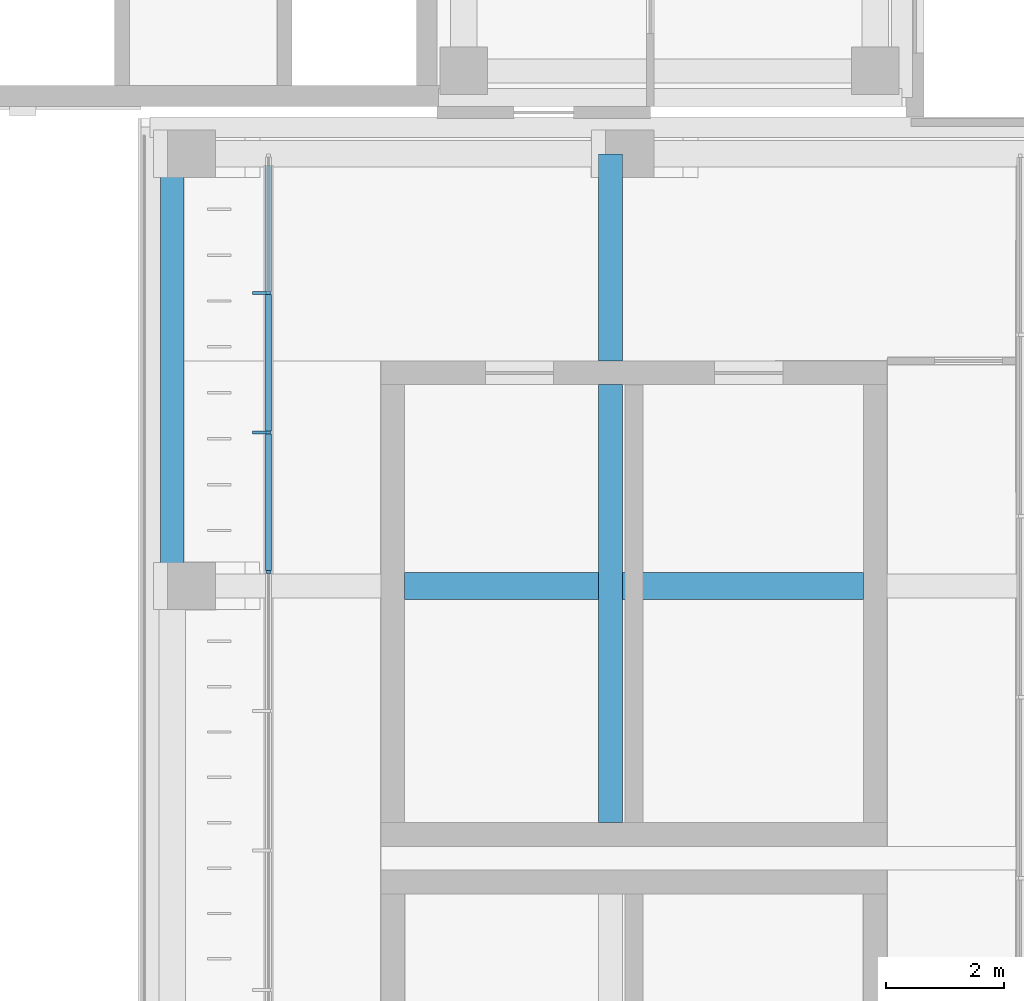
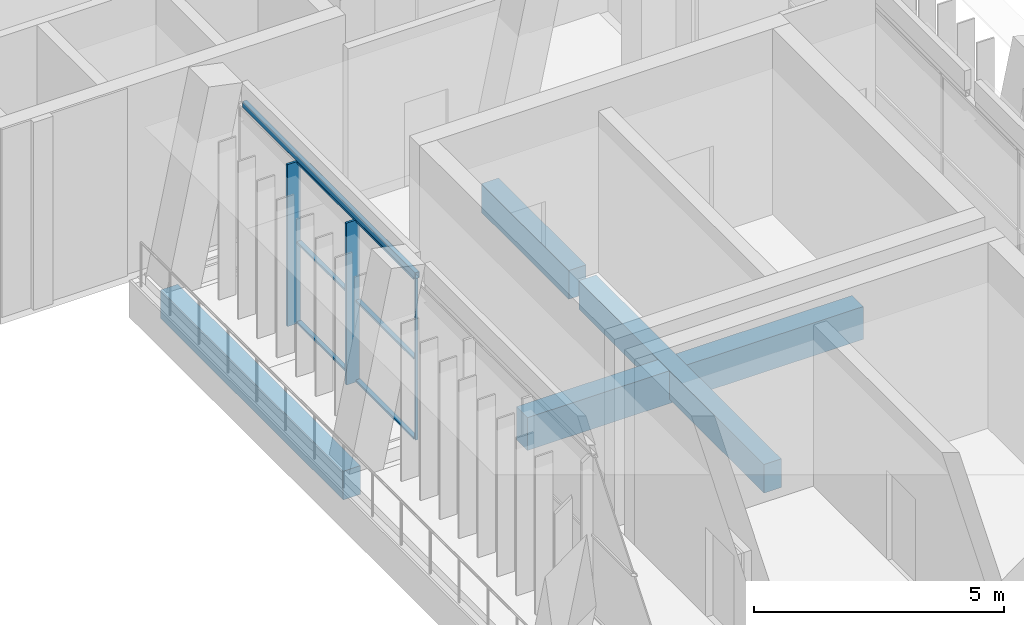
# One storey, part 40 of 89: 9 members, 5 beams, 1 element without a shape of its own.
"""IFC4 building model written with IfcOpenShell, lengths in metres."""

from ifc_helpers import new_model, si_unit, direction, frame, origin, origin_2d, place, context, subcontext, project, spatial, rectangle, hollow_rectangle, extrude, material, material_profile, profile_set, type_object, element, aggregate, save


model = new_model("IFC4")

# Units and contexts
model_context = context("Model", 3, precision=1e-05, world=origin(), true_north=direction((0.0, 1.0)))
body_context = subcontext(model_context, "Body", "Model", "MODEL_VIEW")
ifc_project = project(units=[si_unit("LENGTHUNIT", "METRE"), si_unit("AREAUNIT", "SQUARE_METRE"), si_unit("VOLUMEUNIT", "CUBIC_METRE"), si_unit("PLANEANGLEUNIT", "RADIAN"), si_unit("MASSUNIT", "GRAM", prefix="KILO")], contexts=[model_context])

# Site, building, storey
site_placement = place(None, origin())
site = spatial("IfcSite", under=ifc_project, at=site_placement, CompositionType="ELEMENT")
building_placement = place(site_placement, origin())
building = spatial("IfcBuilding", under=site, at=building_placement, Name="Lantern Court Media Centre", CompositionType="ELEMENT")
storey_placement = place(building_placement, frame((0.0, 0.0, 14.39990234375)))
storey = spatial("IfcBuildingStorey", under=building, at=storey_placement, Name="L03", CompositionType="ELEMENT", Elevation=14.39990234375)

# Curtain wall, members
ifc_material_1 = material(Name="Curtain wall bay 2400")
curtain_wall_type = type_object("IfcCurtainWallType", Name="Curtain wall bay 2400", PredefinedType="NOTDEFINED", material=ifc_material_1)
curtain_wall_placement = place(storey_placement, origin())
curtain_wall = element("IfcCurtainWall", 1, at=curtain_wall_placement, inside=storey, type_object=curtain_wall_type, Name="Curtain wall E inner L03", PredefinedType="NOTDEFINED")
ifc_material_2 = material(Name="Anodised aluminium", Category="aluminium")
ifc_material_profile_1 = material_profile(ifc_material_2, rectangle(XDim=0.300048828125, YDim=0.050048828125, at=origin_2d()), Name="AL 50x300")
ifc_profile_set_1 = profile_set([ifc_material_profile_1], Name="Anodised aluminium")
member_type_1 = type_object("IfcMemberType", Name="Curtain wall mullion 50x300", PredefinedType="MULLION", material=ifc_profile_set_1)
member_1_placement = place(storey_placement, frame((85.030029296875, 90.59228515625, 0.0), z_axis=(0.0, 0.0, 1.0), x_axis=(-1.0, 0.0, 0.0)))
member_1 = element("IfcMember", 2, at=member_1_placement, type_object=member_type_1, Name="CW2 mullion 12", PredefinedType="MULLION", context=body_context, shape_type="SweptSolid", body=[
    extrude(rectangle(XDim=0.300048828125, YDim=0.050048828125, at=origin_2d()), origin(), (0.0, 0.0, 1.0), 3.9501953125),
])
member_2_placement = place(storey_placement, frame((85.030029296875, 92.946044921875, 0.0), z_axis=(0.0, 0.0, 1.0), x_axis=(-1.0, 0.0, 0.0)))
member_2 = element("IfcMember", 3, at=member_2_placement, type_object=member_type_1, Name="CW2 mullion 13", PredefinedType="MULLION", context=body_context, shape_type="SweptSolid", body=[
    extrude(rectangle(XDim=0.300048828125, YDim=0.050048828125, at=origin_2d()), origin(), (0.0, 0.0, 1.0), 3.9501953125),
])
ifc_material_profile_2 = material_profile(ifc_material_2, rectangle(XDim=0.06005859375, YDim=0.050048828125, at=origin_2d()), Name="AL 50x60")
ifc_profile_set_2 = profile_set([ifc_material_profile_2], Name="Anodised aluminium")
member_type_2 = type_object("IfcMemberType", Name="Curtain wall mullion 50x60", PredefinedType="MULLION", material=ifc_profile_set_2)
member_3_placement = place(storey_placement, frame((85.14990234375, 88.238525390625, 0.0), z_axis=(0.0, 0.0, 1.0), x_axis=(-1.0, 0.0, 0.0)))
member_3 = element("IfcMember", 4, at=member_3_placement, type_object=member_type_2, Name="CW2 mullion 11", PredefinedType="MULLION", context=body_context, shape_type="SweptSolid", body=[
    extrude(rectangle(XDim=0.06005859375, YDim=0.050048828125, at=origin_2d()), origin(), (0.0, 0.0, 1.0), 3.9501953125),
])
ifc_material_profile_3 = material_profile(ifc_material_2, rectangle(XDim=0.10009765625, YDim=0.050048828125, at=origin_2d()), Name="AL 50x100")
ifc_profile_set_3 = profile_set([ifc_material_profile_3], Name="Anodised aluminium")
member_type_3 = type_object("IfcMemberType", Name="Curtain wall transom 100x50", PredefinedType="USERDEFINED", material=ifc_profile_set_3)
member_4_placement = place(storey_placement, frame((85.14990234375, 88.263427734375, 0.025146484375), z_axis=(0.0, 1.0, 0.0), x_axis=(-1.0, 0.0, 0.0)))
member_4 = element("IfcMember", 5, at=member_4_placement, type_object=member_type_3, Name="CW2 transom 11.1", ObjectType="TRANSOM", PredefinedType="USERDEFINED", context=body_context, shape_type="SweptSolid", body=[
    extrude(rectangle(XDim=0.10009765625, YDim=0.050048828125, at=origin_2d()), origin(), (0.0, 0.0, 1.0), 2.303955078125),
])
member_5_placement = place(storey_placement, frame((85.14990234375, 88.263427734375, 1.97509765625), z_axis=(0.0, 1.0, 0.0), x_axis=(-1.0, 0.0, 0.0)))
member_5 = element("IfcMember", 6, at=member_5_placement, type_object=member_type_3, Name="CW2 transom 11.2", ObjectType="TRANSOM", PredefinedType="USERDEFINED", context=body_context, shape_type="SweptSolid", body=[
    extrude(rectangle(XDim=0.10009765625, YDim=0.050048828125, at=origin_2d()), origin(), (0.0, 0.0, 1.0), 2.303955078125),
])
member_6_placement = place(storey_placement, frame((85.14990234375, 88.263427734375, 3.925048828125), z_axis=(0.0, 1.0, 0.0), x_axis=(-1.0, 0.0, 0.0)))
member_6 = element("IfcMember", 7, at=member_6_placement, type_object=member_type_3, Name="CW2 transom 11.3", ObjectType="TRANSOM", PredefinedType="USERDEFINED", context=body_context, shape_type="SweptSolid", body=[
    extrude(rectangle(XDim=0.10009765625, YDim=0.050048828125, at=origin_2d()), origin(), (0.0, 0.0, 1.0), 2.303955078125),
])
member_7_placement = place(storey_placement, frame((85.14990234375, 90.6171875, 0.025146484375), z_axis=(0.0, 1.0, 0.0), x_axis=(-1.0, 0.0, 0.0)))
member_7 = element("IfcMember", 8, at=member_7_placement, type_object=member_type_3, Name="CW2 transom 12.1", ObjectType="TRANSOM", PredefinedType="USERDEFINED", context=body_context, shape_type="SweptSolid", body=[
    extrude(rectangle(XDim=0.10009765625, YDim=0.050048828125, at=origin_2d()), origin(), (0.0, 0.0, 1.0), 2.303955078125),
])
member_8_placement = place(storey_placement, frame((85.14990234375, 90.6171875, 1.97509765625), z_axis=(0.0, 1.0, 0.0), x_axis=(-1.0, 0.0, 0.0)))
member_8 = element("IfcMember", 9, at=member_8_placement, type_object=member_type_3, Name="CW2 transom 12.2", ObjectType="TRANSOM", PredefinedType="USERDEFINED", context=body_context, shape_type="SweptSolid", body=[
    extrude(rectangle(XDim=0.10009765625, YDim=0.050048828125, at=origin_2d()), origin(), (0.0, 0.0, 1.0), 2.303955078125),
])
member_9_placement = place(storey_placement, frame((85.14990234375, 90.6171875, 3.925048828125), z_axis=(0.0, 1.0, 0.0), x_axis=(-1.0, 0.0, 0.0)))
member_9 = element("IfcMember", 10, at=member_9_placement, type_object=member_type_3, Name="CW2 transom 12.3", ObjectType="TRANSOM", PredefinedType="USERDEFINED", context=body_context, shape_type="SweptSolid", body=[
    extrude(rectangle(XDim=0.10009765625, YDim=0.050048828125, at=origin_2d()), origin(), (0.0, 0.0, 1.0), 2.303955078125),
])
aggregate(curtain_wall, [member_3, member_1, member_2, member_4, member_5, member_6, member_7, member_8, member_9])

# Beams
ifc_material_3 = material(Name="Steel S355J2 (EN 10025-2)", Category="steel")
ifc_material_profile_4 = material_profile(ifc_material_3, hollow_rectangle(XDim=0.10009765625, YDim=0.14990234375, WallThickness=0.00634765625, InnerFilletRadius=0.00634765625, OuterFilletRadius=0.009521484375, at=origin_2d()), Name="Facade head lintel RHS 150x100x6.3")
ifc_profile_set_4 = profile_set([ifc_material_profile_4], Name="Steel S355J2 (EN 10025-2)")
beam_type_1 = type_object("IfcBeamType", Name="Facade head lintel RHS 150x100x6.3", PredefinedType="BEAM", material=ifc_profile_set_4)
beam_1_placement = place(storey_placement, frame((85.14990234375, 88.199951171875, 4.025146484375), z_axis=(0.0, 1.0, 0.0), x_axis=(-1.0, 0.0, 0.0)))
element("IfcBeam", 11, at=beam_1_placement, inside=storey, type_object=beam_type_1, Name="Facade head lintel E L03", PredefinedType="BEAM", context=body_context, shape_type="SweptSolid", body=[
    extrude(hollow_rectangle(XDim=0.10009765625, YDim=0.14990234375, WallThickness=0.00634765625, InnerFilletRadius=0.00634765625, OuterFilletRadius=0.009521484375, at=origin_2d()), origin(), (0.0, 0.0, 1.0), 6.900146484375),
])
ifc_material_4 = material(Name="Concrete C35", Category="concrete")
ifc_material_profile_5 = material_profile(ifc_material_4, rectangle(XDim=0.39990234375, YDim=0.699951171875, at=origin_2d()), Name="RC 400x700")
ifc_profile_set_5 = profile_set([ifc_material_profile_5], Name="Concrete C35")
beam_type_2 = type_object("IfcBeamType", Name="RC BEAM 400x700", PredefinedType="BEAM", material=ifc_profile_set_5)
beam_2_placement = place(storey_placement, frame((83.527099609375, 88.0, -0.349853515625), z_axis=(0.0, 1.0, 0.0), x_axis=(-1.0, 0.0, 0.0)))
element("IfcBeam", 12, at=beam_2_placement, inside=storey, type_object=beam_type_2, Name="LB-E-L03-0-3", PredefinedType="BEAM", context=body_context, shape_type="SweptSolid", body=[
    extrude(rectangle(XDim=0.39990234375, YDim=0.699951171875, at=origin_2d()), origin(), (0.0, 0.0, 1.0), 7.300048828125),
])
beam_3_placement = place(storey_placement, frame((90.927001953125, 84.0, -0.349853515625), z_axis=(0.0, 1.0, 0.0), x_axis=(-1.0, 0.0, 0.0)))
element("IfcBeam", 13, at=beam_3_placement, inside=storey, type_object=beam_type_2, Name="LB-E-L03-1-02", PredefinedType="BEAM", context=body_context, shape_type="SweptSolid", body=[
    extrude(rectangle(XDim=0.39990234375, YDim=0.699951171875, at=origin_2d()), origin(), (0.0, 0.0, 1.0), 7.39990234375),
])
beam_4_placement = place(storey_placement, frame((90.927001953125, 91.800048828125, -0.349853515625), z_axis=(0.0, 1.0, 0.0), x_axis=(-1.0, 0.0, 0.0)))
element("IfcBeam", 14, at=beam_4_placement, inside=storey, type_object=beam_type_2, Name="LB-E-L03-1-03", PredefinedType="BEAM", context=body_context, shape_type="SweptSolid", body=[
    extrude(rectangle(XDim=0.39990234375, YDim=0.699951171875, at=origin_2d()), origin(), (0.0, 0.0, 1.0), 3.5),
])
ifc_material_profile_6 = material_profile(ifc_material_4, rectangle(XDim=0.449951171875, YDim=0.800048828125, at=origin_2d()), Name="RC 450x800")
ifc_profile_set_6 = profile_set([ifc_material_profile_6], Name="Concrete C35")
beam_type_3 = type_object("IfcBeamType", Name="RC BEAM 450x800", PredefinedType="BEAM", material=ifc_profile_set_6)
beam_5_placement = place(storey_placement, frame((87.449951171875, 88.0, -0.39990234375), z_axis=(1.0, 0.0, 0.0), x_axis=(0.0, 1.0, 0.0)))
element("IfcBeam", 15, at=beam_5_placement, inside=storey, type_object=beam_type_3, Name="TB-E-L03-3-11", PredefinedType="BEAM", context=body_context, shape_type="SweptSolid", body=[
    extrude(rectangle(XDim=0.449951171875, YDim=0.800048828125, at=origin_2d()), origin(), (0.0, 0.0, 1.0), 7.75),
])

save(model, "model.ifc")
